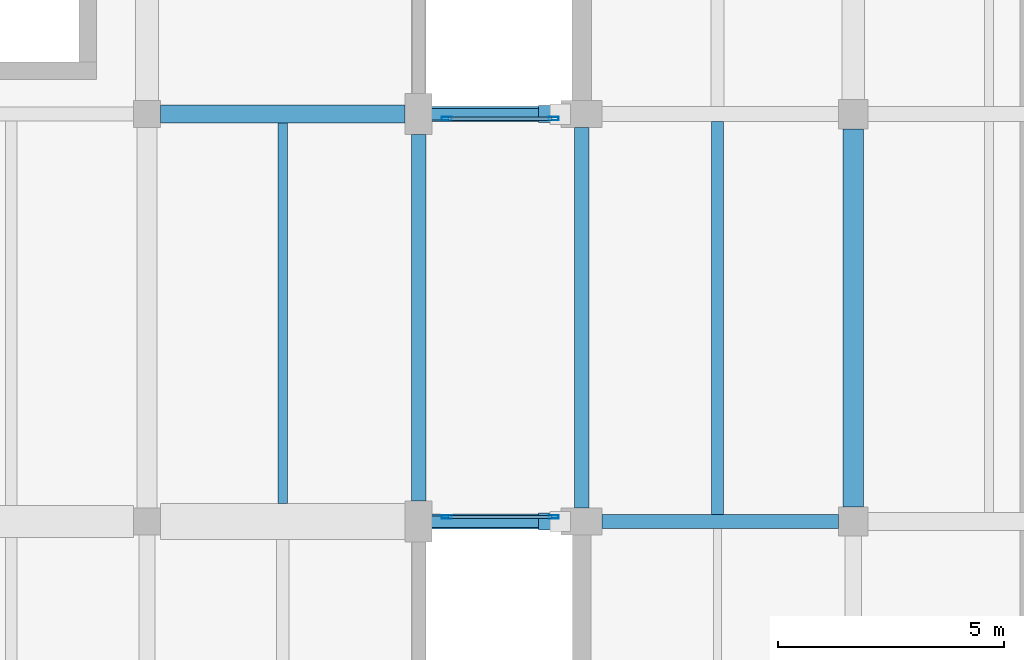
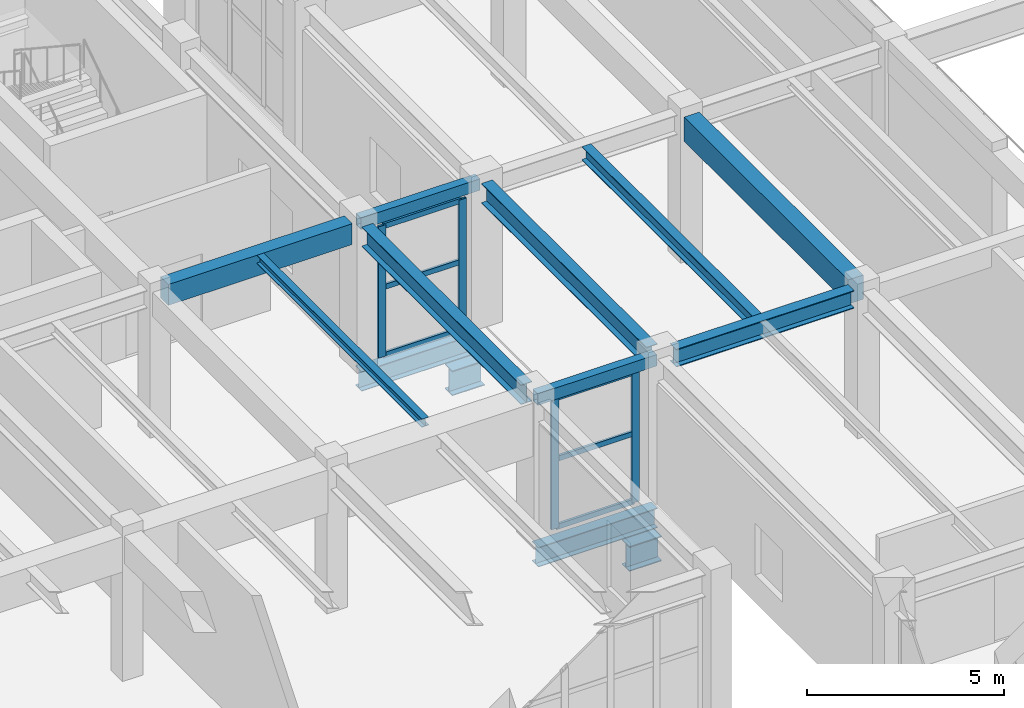
# One storey, part 14 of 85: 13 beams, 10 members, 2 elements without a shape of their own.
"""IFC4 building model written with IfcOpenShell, lengths in metres."""

from ifc_helpers import new_model, si_unit, direction, frame, origin, origin_2d, place, context, subcontext, project, spatial, rectangle, hollow_rectangle, i_section, extrude, material, layer, layer_set, material_profile, profile_set, type_object, element, aggregate, save


model = new_model("IFC4")

# Units and contexts
model_context = context("Model", 3, precision=1e-05, world=origin(), true_north=direction((0.0, 1.0)))
body_context = subcontext(model_context, "Body", "Model", "MODEL_VIEW")
ifc_project = project(units=[si_unit("LENGTHUNIT", "METRE"), si_unit("AREAUNIT", "SQUARE_METRE"), si_unit("VOLUMEUNIT", "CUBIC_METRE"), si_unit("PLANEANGLEUNIT", "RADIAN"), si_unit("MASSUNIT", "GRAM", prefix="KILO")], contexts=[model_context])

# Site, building, storey
site_placement = place(None, origin())
site = spatial("IfcSite", under=ifc_project, at=site_placement, CompositionType="ELEMENT")
building_placement = place(site_placement, origin())
building = spatial("IfcBuilding", under=site, at=building_placement, Name="Vaelkrest Opera House", CompositionType="ELEMENT")
storey_placement = place(building_placement, frame((0.0, 0.0, 10.199951171875)))
storey = spatial("IfcBuildingStorey", under=building, at=storey_placement, Name="L02", CompositionType="ELEMENT", Elevation=10.199951171875)

# Beams
ifc_material_1 = material(Name="Concrete C50/60", Category="concrete")
ifc_material_profile_1 = material_profile(ifc_material_1, rectangle(XDim=0.39990234375, YDim=0.64990234375, at=origin_2d()), Name="RCB400X650")
ifc_profile_set_1 = profile_set([ifc_material_profile_1], Name="Concrete C50/60")
beam_type_1 = type_object("IfcBeamType", Name="B01", PredefinedType="BEAM", material=ifc_profile_set_1)
beam_1_placement = place(storey_placement, frame((-39.300048828125, 1.199951171875, 4.179931640625), z_axis=(1.0, 0.0, 0.0), x_axis=(0.0, 1.0, 0.0)))
element("IfcBeam", 1, at=beam_1_placement, inside=storey, type_object=beam_type_1, Name="Beam BM-V3-L02-1637", PredefinedType="BEAM", context=body_context, shape_type="SweptSolid", body=[
    extrude(rectangle(XDim=0.39990234375, YDim=0.64990234375, at=origin_2d()), origin(), (0.0, 0.0, 1.0), 5.400146484375),
])
ifc_material_profile_2 = material_profile(ifc_material_1, rectangle(XDim=0.449951171875, YDim=0.75, at=origin_2d()), Name="RCB450X750")
ifc_profile_set_2 = profile_set([ifc_material_profile_2], Name="Concrete C50/60")
beam_type_2 = type_object("IfcBeamType", Name="B02", PredefinedType="BEAM", material=ifc_profile_set_2)
beam_2_placement = place(storey_placement, frame((-24.0, -7.47509765625, 4.130126953125), z_axis=(0.0, 1.0, 0.0), x_axis=(-1.0, 0.0, 0.0)))
element("IfcBeam", 2, at=beam_2_placement, inside=storey, type_object=beam_type_2, Name="Beam BM-V1-L02-0375", PredefinedType="BEAM", context=body_context, shape_type="SweptSolid", body=[
    extrude(rectangle(XDim=0.449951171875, YDim=0.75, at=origin_2d()), origin(), (0.0, 0.0, 1.0), 8.35009765625),
])
ifc_material_2 = material(Name="Steel A992 Gr50", Category="steel")
ifc_material_profile_3 = material_profile(ifc_material_2, i_section(OverallWidth=0.31494140625, OverallDepth=0.551025390625, WebThickness=0.01513671875, FlangeThickness=0.0244140625, at=origin_2d()), Name="W21X122")
ifc_profile_set_3 = profile_set([ifc_material_profile_3], Name="Steel A992 Gr50")
beam_type_3 = type_object("IfcBeamType", Name="B20", PredefinedType="BEAM", material=ifc_profile_set_3)
beam_3_placement = place(storey_placement, frame((-29.550048828125, -7.800048828125, 4.2294921875), z_axis=(1.0, 0.0, 0.0), x_axis=(0.0, 1.0, 0.0)))
element("IfcBeam", 3, at=beam_3_placement, inside=storey, type_object=beam_type_3, Name="Beam BM-V1-L02-0340", PredefinedType="BEAM", context=body_context, shape_type="SweptSolid", body=[
    extrude(i_section(OverallWidth=0.31494140625, OverallDepth=0.551025390625, WebThickness=0.01513671875, FlangeThickness=0.0244140625, at=origin_2d()), origin(), (0.0, 0.0, 1.0), 5.22509765625),
])

# Curtain wall, members
ifc_material_3 = material(Name="Dark bronze anodized aluminium", Category="aluminium")
ifc_layer = layer(ifc_material_3, 0.199951171875)
ifc_layer_set = layer_set([ifc_layer], Name="Dark bronze anodized aluminium")
curtain_wall_type = type_object("IfcCurtainWallType", Name="CW03", PredefinedType="NOTDEFINED", material=ifc_layer_set)
curtain_wall_1_placement = place(storey_placement, origin())
curtain_wall_1 = element("IfcCurtainWall", 4, at=curtain_wall_1_placement, inside=storey, type_object=curtain_wall_type, Name="Curtain wall CW-L02-178", PredefinedType="NOTDEFINED")
ifc_material_profile_4 = material_profile(ifc_material_3, hollow_rectangle(XDim=0.074951171875, YDim=0.219970703125, WallThickness=0.00439453125, at=origin_2d()), Name="CWM75X220")
ifc_profile_set_4 = profile_set([ifc_material_profile_4], Name="Dark bronze anodized aluminium")
member_type_1 = type_object("IfcMemberType", Name="CWM03", PredefinedType="MULLION", material=ifc_profile_set_4)
member_1_placement = place(storey_placement, frame((-30.617431640625, -7.699951171875, 0.0), z_axis=(0.0, 0.0, 1.0), x_axis=(0.0, -1.0, 0.0)))
member_1 = element("IfcMember", 5, at=member_1_placement, type_object=member_type_1, Name="CW03 mullion 1", PredefinedType="MULLION", context=body_context, shape_type="SweptSolid", body=[
    extrude(hollow_rectangle(XDim=0.074951171875, YDim=0.219970703125, WallThickness=0.00439453125, at=origin_2d()), origin(), (0.0, 0.0, 1.0), 4.080078125),
])
member_2_placement = place(storey_placement, frame((-32.982421875, -7.699951171875, 0.0), z_axis=(0.0, 0.0, 1.0), x_axis=(0.0, -1.0, 0.0)))
member_2 = element("IfcMember", 6, at=member_2_placement, type_object=member_type_1, Name="CW03 mullion 2", PredefinedType="MULLION", context=body_context, shape_type="SweptSolid", body=[
    extrude(hollow_rectangle(XDim=0.074951171875, YDim=0.219970703125, WallThickness=0.00439453125, at=origin_2d()), origin(), (0.0, 0.0, 1.0), 4.080078125),
])

curtain_wall_2_placement = place(storey_placement, origin())
curtain_wall_2 = element("IfcCurtainWall", 7, at=curtain_wall_2_placement, inside=storey, type_object=curtain_wall_type, Name="Curtain wall CW-L02-179", PredefinedType="NOTDEFINED")
member_3_placement = place(storey_placement, frame((-32.982421875, 1.10009765625, 0.0), z_axis=(0.0, 0.0, 1.0), x_axis=(0.0, 1.0, 0.0)))
member_3 = element("IfcMember", 8, at=member_3_placement, type_object=member_type_1, Name="CW03 mullion 1", PredefinedType="MULLION", context=body_context, shape_type="SweptSolid", body=[
    extrude(hollow_rectangle(XDim=0.074951171875, YDim=0.219970703125, WallThickness=0.00439453125, at=origin_2d()), origin(), (0.0, 0.0, 1.0), 4.080078125),
])
member_4_placement = place(storey_placement, frame((-30.617431640625, 1.10009765625, 0.0), z_axis=(0.0, 0.0, 1.0), x_axis=(0.0, 1.0, 0.0)))
member_4 = element("IfcMember", 9, at=member_4_placement, type_object=member_type_1, Name="CW03 mullion 2", PredefinedType="MULLION", context=body_context, shape_type="SweptSolid", body=[
    extrude(hollow_rectangle(XDim=0.074951171875, YDim=0.219970703125, WallThickness=0.00439453125, at=origin_2d()), origin(), (0.0, 0.0, 1.0), 4.080078125),
])

# Member
ifc_material_profile_5 = material_profile(ifc_material_3, hollow_rectangle(XDim=0.074951171875, YDim=0.159912109375, WallThickness=0.00439453125, at=origin_2d()), Name="CWT75X160")
ifc_profile_set_5 = profile_set([ifc_material_profile_5], Name="Dark bronze anodized aluminium")
member_type_2 = type_object("IfcMemberType", Name="CWT03", PredefinedType="USERDEFINED", material=ifc_profile_set_5)
member_5_placement = place(storey_placement, frame((-30.655029296875, -7.699951171875, 0.03759765625), z_axis=(-1.0, 0.0, 0.0), x_axis=(0.0, -1.0, 0.0)))
member_5 = element("IfcMember", 10, at=member_5_placement, type_object=member_type_2, Name="CW03 transom 1.1", ObjectType="TRANSOM", PredefinedType="USERDEFINED", context=body_context, shape_type="SweptSolid", body=[
    extrude(hollow_rectangle(XDim=0.074951171875, YDim=0.159912109375, WallThickness=0.00439453125, at=origin_2d()), origin(), (0.0, 0.0, 1.0), 2.2900390625),
])

member_6_placement = place(storey_placement, frame((-30.655029296875, -7.699951171875, 2.150146484375), z_axis=(-1.0, 0.0, 0.0), x_axis=(0.0, -1.0, 0.0)))
member_6 = element("IfcMember", 11, at=member_6_placement, type_object=member_type_2, Name="CW03 transom 1.2", ObjectType="TRANSOM", PredefinedType="USERDEFINED", context=body_context, shape_type="SweptSolid", body=[
    extrude(hollow_rectangle(XDim=0.074951171875, YDim=0.159912109375, WallThickness=0.00439453125, at=origin_2d()), origin(), (0.0, 0.0, 1.0), 2.2900390625),
])

member_7_placement = place(storey_placement, frame((-30.655029296875, -7.699951171875, 4.04248046875), z_axis=(-1.0, 0.0, 0.0), x_axis=(0.0, -1.0, 0.0)))
member_7 = element("IfcMember", 12, at=member_7_placement, type_object=member_type_2, Name="CW03 transom 1.3", ObjectType="TRANSOM", PredefinedType="USERDEFINED", context=body_context, shape_type="SweptSolid", body=[
    extrude(hollow_rectangle(XDim=0.074951171875, YDim=0.159912109375, WallThickness=0.00439453125, at=origin_2d()), origin(), (0.0, 0.0, 1.0), 2.2900390625),
])

aggregate(curtain_wall_1, [member_1, member_2, member_5, member_6, member_7])

member_8_placement = place(storey_placement, frame((-32.945068359375, 1.10009765625, 0.03759765625), z_axis=(1.0, 0.0, 0.0), x_axis=(0.0, 1.0, 0.0)))
member_8 = element("IfcMember", 13, at=member_8_placement, type_object=member_type_2, Name="CW03 transom 1.1", ObjectType="TRANSOM", PredefinedType="USERDEFINED", context=body_context, shape_type="SweptSolid", body=[
    extrude(hollow_rectangle(XDim=0.074951171875, YDim=0.159912109375, WallThickness=0.00439453125, at=origin_2d()), origin(), (0.0, 0.0, 1.0), 2.2900390625),
])

member_9_placement = place(storey_placement, frame((-32.945068359375, 1.10009765625, 2.150146484375), z_axis=(1.0, 0.0, 0.0), x_axis=(0.0, 1.0, 0.0)))
member_9 = element("IfcMember", 14, at=member_9_placement, type_object=member_type_2, Name="CW03 transom 1.2", ObjectType="TRANSOM", PredefinedType="USERDEFINED", context=body_context, shape_type="SweptSolid", body=[
    extrude(hollow_rectangle(XDim=0.074951171875, YDim=0.159912109375, WallThickness=0.00439453125, at=origin_2d()), origin(), (0.0, 0.0, 1.0), 2.2900390625),
])

member_10_placement = place(storey_placement, frame((-32.945068359375, 1.10009765625, 4.04248046875), z_axis=(1.0, 0.0, 0.0), x_axis=(0.0, 1.0, 0.0)))
member_10 = element("IfcMember", 15, at=member_10_placement, type_object=member_type_2, Name="CW03 transom 1.3", ObjectType="TRANSOM", PredefinedType="USERDEFINED", context=body_context, shape_type="SweptSolid", body=[
    extrude(hollow_rectangle(XDim=0.074951171875, YDim=0.159912109375, WallThickness=0.00439453125, at=origin_2d()), origin(), (0.0, 0.0, 1.0), 2.2900390625),
])

aggregate(curtain_wall_2, [member_3, member_4, member_8, member_9, member_10])

# Beams
ifc_material_profile_6 = material_profile(ifc_material_2, i_section(OverallWidth=0.2041015625, OverallDepth=0.257080078125, WebThickness=0.0087890625, FlangeThickness=0.015625, at=origin_2d()), Name="W10X45")
ifc_profile_set_6 = profile_set([ifc_material_profile_6], Name="Steel A992 Gr50")
beam_type_4 = type_object("IfcBeamType", Name="J01", PredefinedType="JOIST", material=ifc_profile_set_6)
beam_4_placement = place(storey_placement, frame((-36.60009765625, -7.39990234375, 4.37646484375), z_axis=(0.0, 1.0, 0.0), x_axis=(-1.0, 0.0, 0.0)))
element("IfcBeam", 16, at=beam_4_placement, inside=storey, type_object=beam_type_4, Name="Floor joist JST-V3-L02-1731", PredefinedType="JOIST", context=body_context, shape_type="SweptSolid", body=[
    extrude(i_section(OverallWidth=0.2041015625, OverallDepth=0.257080078125, WebThickness=0.0087890625, FlangeThickness=0.015625, at=origin_2d()), origin(), (0.0, 0.0, 1.0), 8.39990234375),
])
ifc_material_profile_7 = material_profile(ifc_material_2, i_section(OverallWidth=0.261962890625, OverallDepth=0.4189453125, WebThickness=0.01171875, FlangeThickness=0.019287109375, at=origin_2d()), Name="W16X77")
ifc_profile_set_7 = profile_set([ifc_material_profile_7], Name="Steel A992 Gr50")
beam_type_5 = type_object("IfcBeamType", Name="J08", PredefinedType="JOIST", material=ifc_profile_set_7)
beam_5_placement = place(storey_placement, frame((-27.0, -7.642578125, 4.295654296875), z_axis=(0.0, 1.0, 0.0), x_axis=(-1.0, 0.0, 0.0)))
element("IfcBeam", 17, at=beam_5_placement, inside=storey, type_object=beam_type_5, Name="Floor joist JST-V1-L02-0408", PredefinedType="JOIST", context=body_context, shape_type="SweptSolid", body=[
    extrude(i_section(OverallWidth=0.261962890625, OverallDepth=0.4189453125, WebThickness=0.01171875, FlangeThickness=0.019287109375, at=origin_2d()), origin(), (0.0, 0.0, 1.0), 8.6806640625),
])
ifc_material_profile_8 = material_profile(ifc_material_2, i_section(OverallWidth=0.323974609375, OverallDepth=0.611083984375, WebThickness=0.0126953125, FlangeThickness=0.01904296875, at=origin_2d()), Name="W24X104")
ifc_profile_set_8 = profile_set([ifc_material_profile_8], Name="Steel A992 Gr50")
beam_type_6 = type_object("IfcBeamType", Name="SP01", PredefinedType="SPANDREL", material=ifc_profile_set_8)
beam_6_placement = place(storey_placement, frame((-30.0, -7.5, 4.199462890625), z_axis=(0.0, 1.0, 0.0), x_axis=(-1.0, 0.0, 0.0)))
element("IfcBeam", 18, at=beam_6_placement, inside=storey, type_object=beam_type_6, Name="Beam BM-V1-L02-0370", PredefinedType="SPANDREL", context=body_context, shape_type="SweptSolid", body=[
    extrude(i_section(OverallWidth=0.323974609375, OverallDepth=0.611083984375, WebThickness=0.0126953125, FlangeThickness=0.01904296875, at=origin_2d()), origin(), (0.0, 0.0, 1.0), 8.39990234375),
])
beam_7_placement = place(storey_placement, frame((-33.60009765625, -7.35009765625, 4.199462890625), z_axis=(0.0, 1.0, 0.0), x_axis=(-1.0, 0.0, 0.0)))
element("IfcBeam", 19, at=beam_7_placement, inside=storey, type_object=beam_type_6, Name="Beam BM-V3-L02-1701", PredefinedType="SPANDREL", context=body_context, shape_type="SweptSolid", body=[
    extrude(i_section(OverallWidth=0.323974609375, OverallDepth=0.611083984375, WebThickness=0.0126953125, FlangeThickness=0.01904296875, at=origin_2d()), origin(), (0.0, 0.0, 1.0), 8.10009765625),
])
for number, where, z_axis, x_axis, name in (
    (20, (-33.60009765625, -7.800048828125, -0.530029296875), (1.0, 0.0, 0.0), (0.0, 1.0, 0.0), "Bridge cantilever girder BR-W-L02 S"),
    (21, (-33.60009765625, 1.199951171875, -0.530029296875), (1.0, 0.0, 0.0), (0.0, 1.0, 0.0), "Bridge cantilever girder BR-W-L02 N"),
):
    element("IfcBeam", number, at=place(storey_placement, frame(where, z_axis=z_axis, x_axis=x_axis)), inside=storey, type_object=beam_type_6, Name=name, PredefinedType="SPANDREL", context=body_context, shape_type="SweptSolid", body=[
        extrude(i_section(OverallWidth=0.323974609375, OverallDepth=0.611083984375, WebThickness=0.0126953125, FlangeThickness=0.01904296875, at=origin_2d()), origin(), (0.0, 0.0, 1.0), 3.5),
    ])
ifc_material_profile_9 = material_profile(ifc_material_2, i_section(OverallWidth=0.381103515625, OverallDepth=0.77294921875, WebThickness=0.0166015625, FlangeThickness=0.027099609375, at=origin_2d()), Name="W30X173")
ifc_profile_set_9 = profile_set([ifc_material_profile_9], Name="Steel A992 Gr50")
beam_type_7 = type_object("IfcBeamType", Name="SP03", PredefinedType="SPANDREL", material=ifc_profile_set_9)
for number, where, z_axis, x_axis, name in (
    (22, (-30.949951171875, -7.800048828125, -1.5), (1.0, 0.0, 0.0), (0.0, 1.0, 0.0), "Seismic bridge 950mm RC corbel seat BR-W-L02 S"),
    (23, (-30.949951171875, 1.199951171875, -1.5), (1.0, 0.0, 0.0), (0.0, 1.0, 0.0), "Seismic bridge 950mm RC corbel seat BR-W-L02 N"),
):
    element("IfcBeam", number, at=place(storey_placement, frame(where, z_axis=z_axis, x_axis=x_axis)), inside=storey, type_object=beam_type_7, Name=name, PredefinedType="SPANDREL", context=body_context, shape_type="SweptSolid", body=[
        extrude(i_section(OverallWidth=0.381103515625, OverallDepth=0.77294921875, WebThickness=0.0166015625, FlangeThickness=0.027099609375, at=origin_2d()), origin(), (0.0, 0.0, 1.0), 0.949951171875),
    ])
ifc_material_4 = material(Name="Steel A500 GrC", Category="steel")
ifc_material_profile_10 = material_profile(ifc_material_4, hollow_rectangle(XDim=0.25390625, YDim=0.35595703125, WallThickness=0.0126953125, at=origin_2d()), Name="HSS356X254X12.7")
ifc_profile_set_10 = profile_set([ifc_material_profile_10], Name="Steel A500 GrC")
beam_type_8 = type_object("IfcBeamType", Name="SP04", PredefinedType="SPANDREL", material=ifc_profile_set_10)
for number, where, z_axis, x_axis, name in (
    (24, (-33.60009765625, -7.800048828125, 4.344970703125), (1.0, 0.0, 0.0), (0.0, 1.0, 0.0), "Bridge roof girder BR-W-L02 S"),
    (25, (-33.60009765625, 1.199951171875, 4.344970703125), (1.0, 0.0, 0.0), (0.0, 1.0, 0.0), "Bridge roof girder BR-W-L02 N"),
):
    element("IfcBeam", number, at=place(storey_placement, frame(where, z_axis=z_axis, x_axis=x_axis)), inside=storey, type_object=beam_type_8, Name=name, PredefinedType="SPANDREL", context=body_context, shape_type="SweptSolid", body=[
        extrude(hollow_rectangle(XDim=0.25390625, YDim=0.35595703125, WallThickness=0.0126953125, at=origin_2d()), origin(), (0.0, 0.0, 1.0), 3.5),
    ])

save(model, "model.ifc")
